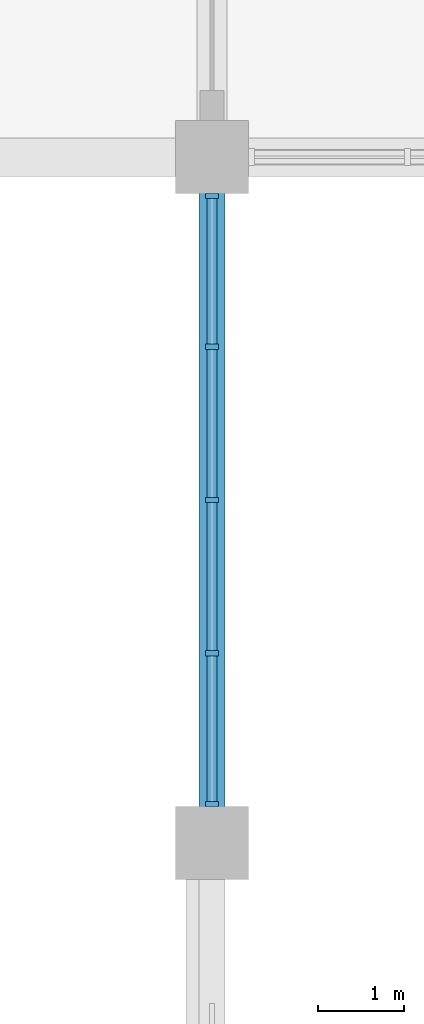
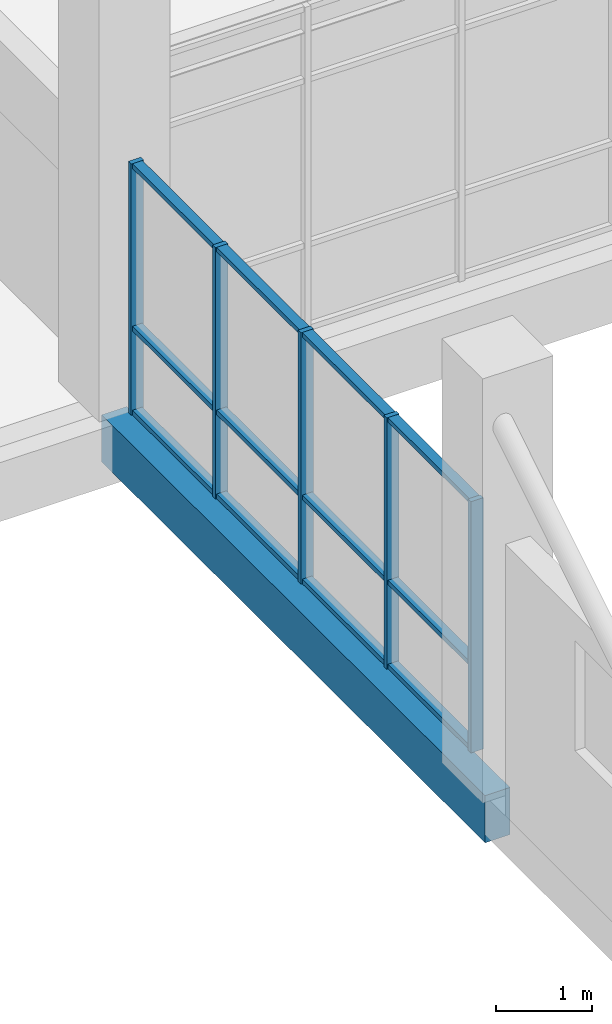
# One storey, part 14 of 122: 17 members, 1 beam, 1 element without a shape of its own.
"""IFC4 building model written with IfcOpenShell, lengths in metres."""

from ifc_helpers import new_model, si_unit, direction, frame, origin, origin_2d, place, context, subcontext, project, spatial, rectangle, extrude, material, material_profile, profile_set, type_object, element, aggregate, save


model = new_model("IFC4")

# Units and contexts
model_context = context("Model", 3, precision=1e-05, world=origin(), true_north=direction((0.0, 1.0)))
body_context = subcontext(model_context, "Body", "Model", "MODEL_VIEW")
ifc_project = project(units=[si_unit("LENGTHUNIT", "METRE"), si_unit("AREAUNIT", "SQUARE_METRE"), si_unit("VOLUMEUNIT", "CUBIC_METRE"), si_unit("PLANEANGLEUNIT", "RADIAN"), si_unit("MASSUNIT", "GRAM", prefix="KILO")], contexts=[model_context])

# Site, building, storey
site_placement = place(None, origin())
site = spatial("IfcSite", under=ifc_project, at=site_placement, CompositionType="ELEMENT")
building_placement = place(site_placement, origin())
building = spatial("IfcBuilding", under=site, at=building_placement, Name="Tenunan Teduh Sports Hall", CompositionType="ELEMENT")
storey_placement = place(building_placement, frame((0.0, 0.0, 5.39990234375)))
storey = spatial("IfcBuildingStorey", under=building, at=storey_placement, Name="L01", CompositionType="ELEMENT", Elevation=5.39990234375)

# Beam
ifc_material_1 = material(Name="Concrete C40/50", Category="concrete")
ifc_material_profile_1 = material_profile(ifc_material_1, rectangle(XDim=0.300048828125, YDim=0.60009765625, at=origin_2d()), Name="RCB 300x600")
ifc_profile_set_1 = profile_set([ifc_material_profile_1], Name="Concrete C40/50")
beam_type = type_object("IfcBeamType", Name="BM-RC-300x600", PredefinedType="BEAM", material=ifc_profile_set_1)
beam_placement = place(storey_placement, frame((54.0, 30.0, -0.559814453125), z_axis=(0.0, 1.0, 0.0), x_axis=(-1.0, 0.0, 0.0)))
element("IfcBeam", 1, at=beam_placement, inside=storey, type_object=beam_type, Name="BM-B-03-L01-1220", PredefinedType="BEAM", context=body_context, shape_type="SweptSolid", body=[
    extrude(rectangle(XDim=0.300048828125, YDim=0.60009765625, at=origin_2d()), origin(), (0.0, 0.0, 1.0), 8.0),
])

# Curtain wall, members
ifc_material_2 = material(Name="Anodised aluminium", Category="aluminium")
curtain_wall_type = type_object("IfcCurtainWallType", Name="CW-UNIT-1", PredefinedType="NOTDEFINED", material=ifc_material_2)
curtain_wall_placement = place(storey_placement, origin())
curtain_wall = element("IfcCurtainWall", 2, at=curtain_wall_placement, inside=storey, type_object=curtain_wall_type, Name="CW-CWM-150-L01-055", PredefinedType="NOTDEFINED")
ifc_material_3 = material(Name="Anodised aluminium", Category="aluminium")
ifc_material_profile_2 = material_profile(ifc_material_3, rectangle(XDim=0.06005859375, YDim=0.14990234375, at=origin_2d()), Name="CWM 60x150")
ifc_profile_set_2 = profile_set([ifc_material_profile_2], Name="Anodised aluminium")
member_type_1 = type_object("IfcMemberType", Name="CWM-150", PredefinedType="MULLION", material=ifc_profile_set_2)
member_1_placement = place(storey_placement, frame((54.0, 30.455078125, 0.0), z_axis=(0.0, 0.0, 1.0), x_axis=(0.0, 1.0, 0.0)))
member_1 = element("IfcMember", 3, at=member_1_placement, type_object=member_type_1, Name="CW-01 mullion 1", PredefinedType="MULLION", context=body_context, shape_type="SweptSolid", body=[
    extrude(rectangle(XDim=0.06005859375, YDim=0.14990234375, at=origin_2d()), origin(), (0.0, 0.0, 1.0), 3.2001953125),
])
member_2_placement = place(storey_placement, frame((54.0, 32.21240234375, 0.0), z_axis=(0.0, 0.0, 1.0), x_axis=(0.0, 1.0, 0.0)))
member_2 = element("IfcMember", 4, at=member_2_placement, type_object=member_type_1, Name="CW-01 mullion 2", PredefinedType="MULLION", context=body_context, shape_type="SweptSolid", body=[
    extrude(rectangle(XDim=0.06005859375, YDim=0.14990234375, at=origin_2d()), origin(), (0.0, 0.0, 1.0), 3.2001953125),
])
member_3_placement = place(storey_placement, frame((54.0, 34.0, 0.0), z_axis=(0.0, 0.0, 1.0), x_axis=(0.0, 1.0, 0.0)))
member_3 = element("IfcMember", 5, at=member_3_placement, type_object=member_type_1, Name="CW-01 mullion 3", PredefinedType="MULLION", context=body_context, shape_type="SweptSolid", body=[
    extrude(rectangle(XDim=0.06005859375, YDim=0.14990234375, at=origin_2d()), origin(), (0.0, 0.0, 1.0), 3.2001953125),
])
member_4_placement = place(storey_placement, frame((54.0, 35.78759765625, 0.0), z_axis=(0.0, 0.0, 1.0), x_axis=(0.0, 1.0, 0.0)))
member_4 = element("IfcMember", 6, at=member_4_placement, type_object=member_type_1, Name="CW-01 mullion 4", PredefinedType="MULLION", context=body_context, shape_type="SweptSolid", body=[
    extrude(rectangle(XDim=0.06005859375, YDim=0.14990234375, at=origin_2d()), origin(), (0.0, 0.0, 1.0), 3.2001953125),
])
member_5_placement = place(storey_placement, frame((54.0, 37.544921875, 0.0), z_axis=(0.0, 0.0, 1.0), x_axis=(0.0, 1.0, 0.0)))
member_5 = element("IfcMember", 7, at=member_5_placement, type_object=member_type_1, Name="CW-01 mullion 5", PredefinedType="MULLION", context=body_context, shape_type="SweptSolid", body=[
    extrude(rectangle(XDim=0.06005859375, YDim=0.14990234375, at=origin_2d()), origin(), (0.0, 0.0, 1.0), 3.2001953125),
])
ifc_material_4 = material(Name="Anodised aluminium", Category="aluminium")
ifc_material_profile_3 = material_profile(ifc_material_4, rectangle(XDim=0.06005859375, YDim=0.1201171875, at=origin_2d()), Name="CWT 60x120")
ifc_profile_set_3 = profile_set([ifc_material_profile_3], Name="Anodised aluminium")
member_type_2 = type_object("IfcMemberType", Name="CWT-125", PredefinedType="USERDEFINED", material=ifc_profile_set_3)
member_6_placement = place(storey_placement, frame((54.0, 30.485107421875, 0.030029296875), z_axis=(0.0, 1.0, 0.0), x_axis=(0.0, 0.0, 1.0)))
member_6 = element("IfcMember", 8, at=member_6_placement, type_object=member_type_2, Name="CW-01 transom 1.1", ObjectType="TRANSOM", PredefinedType="USERDEFINED", context=body_context, shape_type="SweptSolid", body=[
    extrude(rectangle(XDim=0.06005859375, YDim=0.1201171875, at=origin_2d()), origin(), (0.0, 0.0, 1.0), 1.697509765625),
])
member_7_placement = place(storey_placement, frame((54.0, 30.485107421875, 1.10009765625), z_axis=(0.0, 1.0, 0.0), x_axis=(0.0, 0.0, 1.0)))
member_7 = element("IfcMember", 9, at=member_7_placement, type_object=member_type_2, Name="CW-01 transom 1.2", ObjectType="TRANSOM", PredefinedType="USERDEFINED", context=body_context, shape_type="SweptSolid", body=[
    extrude(rectangle(XDim=0.06005859375, YDim=0.1201171875, at=origin_2d()), origin(), (0.0, 0.0, 1.0), 1.697509765625),
])
member_8_placement = place(storey_placement, frame((54.0, 30.485107421875, 3.170166015625), z_axis=(0.0, 1.0, 0.0), x_axis=(0.0, 0.0, 1.0)))
member_8 = element("IfcMember", 10, at=member_8_placement, type_object=member_type_2, Name="CW-01 transom 1.3", ObjectType="TRANSOM", PredefinedType="USERDEFINED", context=body_context, shape_type="SweptSolid", body=[
    extrude(rectangle(XDim=0.06005859375, YDim=0.1201171875, at=origin_2d()), origin(), (0.0, 0.0, 1.0), 1.697509765625),
])
member_9_placement = place(storey_placement, frame((54.0, 32.242431640625, 0.030029296875), z_axis=(0.0, 1.0, 0.0), x_axis=(0.0, 0.0, 1.0)))
member_9 = element("IfcMember", 11, at=member_9_placement, type_object=member_type_2, Name="CW-01 transom 2.1", ObjectType="TRANSOM", PredefinedType="USERDEFINED", context=body_context, shape_type="SweptSolid", body=[
    extrude(rectangle(XDim=0.06005859375, YDim=0.1201171875, at=origin_2d()), origin(), (0.0, 0.0, 1.0), 1.7275390625),
])
member_10_placement = place(storey_placement, frame((54.0, 32.242431640625, 1.10009765625), z_axis=(0.0, 1.0, 0.0), x_axis=(0.0, 0.0, 1.0)))
member_10 = element("IfcMember", 12, at=member_10_placement, type_object=member_type_2, Name="CW-01 transom 2.2", ObjectType="TRANSOM", PredefinedType="USERDEFINED", context=body_context, shape_type="SweptSolid", body=[
    extrude(rectangle(XDim=0.06005859375, YDim=0.1201171875, at=origin_2d()), origin(), (0.0, 0.0, 1.0), 1.7275390625),
])
member_11_placement = place(storey_placement, frame((54.0, 32.242431640625, 3.170166015625), z_axis=(0.0, 1.0, 0.0), x_axis=(0.0, 0.0, 1.0)))
member_11 = element("IfcMember", 13, at=member_11_placement, type_object=member_type_2, Name="CW-01 transom 2.3", ObjectType="TRANSOM", PredefinedType="USERDEFINED", context=body_context, shape_type="SweptSolid", body=[
    extrude(rectangle(XDim=0.06005859375, YDim=0.1201171875, at=origin_2d()), origin(), (0.0, 0.0, 1.0), 1.7275390625),
])
member_12_placement = place(storey_placement, frame((54.0, 34.030029296875, 0.030029296875), z_axis=(0.0, 1.0, 0.0), x_axis=(0.0, 0.0, 1.0)))
member_12 = element("IfcMember", 14, at=member_12_placement, type_object=member_type_2, Name="CW-01 transom 3.1", ObjectType="TRANSOM", PredefinedType="USERDEFINED", context=body_context, shape_type="SweptSolid", body=[
    extrude(rectangle(XDim=0.06005859375, YDim=0.1201171875, at=origin_2d()), origin(), (0.0, 0.0, 1.0), 1.7275390625),
])
member_13_placement = place(storey_placement, frame((54.0, 34.030029296875, 1.10009765625), z_axis=(0.0, 1.0, 0.0), x_axis=(0.0, 0.0, 1.0)))
member_13 = element("IfcMember", 15, at=member_13_placement, type_object=member_type_2, Name="CW-01 transom 3.2", ObjectType="TRANSOM", PredefinedType="USERDEFINED", context=body_context, shape_type="SweptSolid", body=[
    extrude(rectangle(XDim=0.06005859375, YDim=0.1201171875, at=origin_2d()), origin(), (0.0, 0.0, 1.0), 1.7275390625),
])
member_14_placement = place(storey_placement, frame((54.0, 34.030029296875, 3.170166015625), z_axis=(0.0, 1.0, 0.0), x_axis=(0.0, 0.0, 1.0)))
member_14 = element("IfcMember", 16, at=member_14_placement, type_object=member_type_2, Name="CW-01 transom 3.3", ObjectType="TRANSOM", PredefinedType="USERDEFINED", context=body_context, shape_type="SweptSolid", body=[
    extrude(rectangle(XDim=0.06005859375, YDim=0.1201171875, at=origin_2d()), origin(), (0.0, 0.0, 1.0), 1.7275390625),
])
member_15_placement = place(storey_placement, frame((54.0, 35.8173828125, 0.030029296875), z_axis=(0.0, 1.0, 0.0), x_axis=(0.0, 0.0, 1.0)))
member_15 = element("IfcMember", 17, at=member_15_placement, type_object=member_type_2, Name="CW-01 transom 4.1", ObjectType="TRANSOM", PredefinedType="USERDEFINED", context=body_context, shape_type="SweptSolid", body=[
    extrude(rectangle(XDim=0.06005859375, YDim=0.1201171875, at=origin_2d()), origin(), (0.0, 0.0, 1.0), 1.697509765625),
])
member_16_placement = place(storey_placement, frame((54.0, 35.8173828125, 1.10009765625), z_axis=(0.0, 1.0, 0.0), x_axis=(0.0, 0.0, 1.0)))
member_16 = element("IfcMember", 18, at=member_16_placement, type_object=member_type_2, Name="CW-01 transom 4.2", ObjectType="TRANSOM", PredefinedType="USERDEFINED", context=body_context, shape_type="SweptSolid", body=[
    extrude(rectangle(XDim=0.06005859375, YDim=0.1201171875, at=origin_2d()), origin(), (0.0, 0.0, 1.0), 1.697509765625),
])
member_17_placement = place(storey_placement, frame((54.0, 35.8173828125, 3.170166015625), z_axis=(0.0, 1.0, 0.0), x_axis=(0.0, 0.0, 1.0)))
member_17 = element("IfcMember", 19, at=member_17_placement, type_object=member_type_2, Name="CW-01 transom 4.3", ObjectType="TRANSOM", PredefinedType="USERDEFINED", context=body_context, shape_type="SweptSolid", body=[
    extrude(rectangle(XDim=0.06005859375, YDim=0.1201171875, at=origin_2d()), origin(), (0.0, 0.0, 1.0), 1.697509765625),
])
aggregate(curtain_wall, [member_1, member_2, member_3, member_4, member_5, member_6, member_7, member_8, member_9, member_10, member_11, member_12, member_13, member_14, member_15, member_16, member_17])

save(model, "model.ifc")
